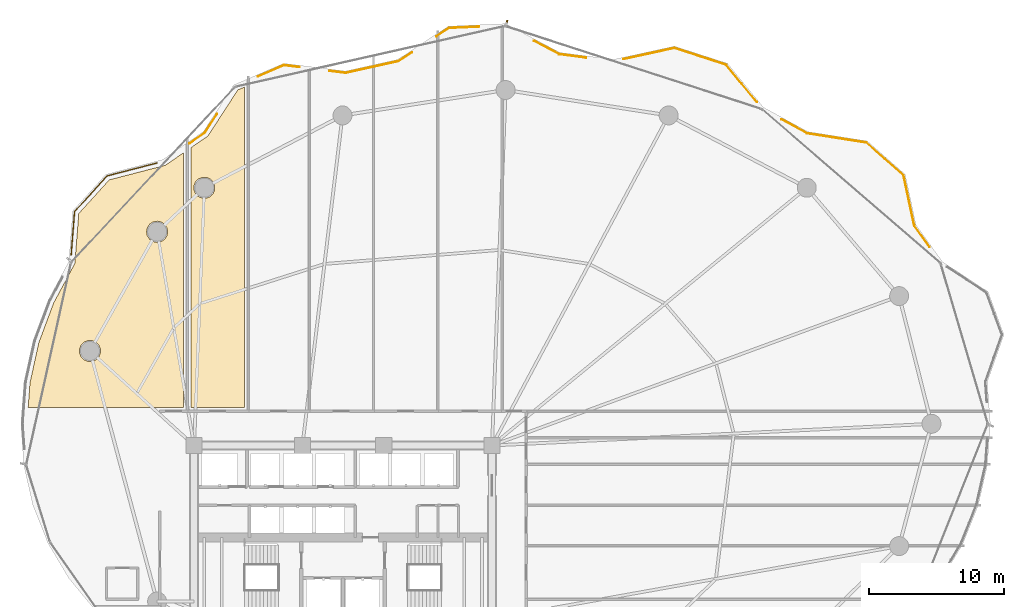
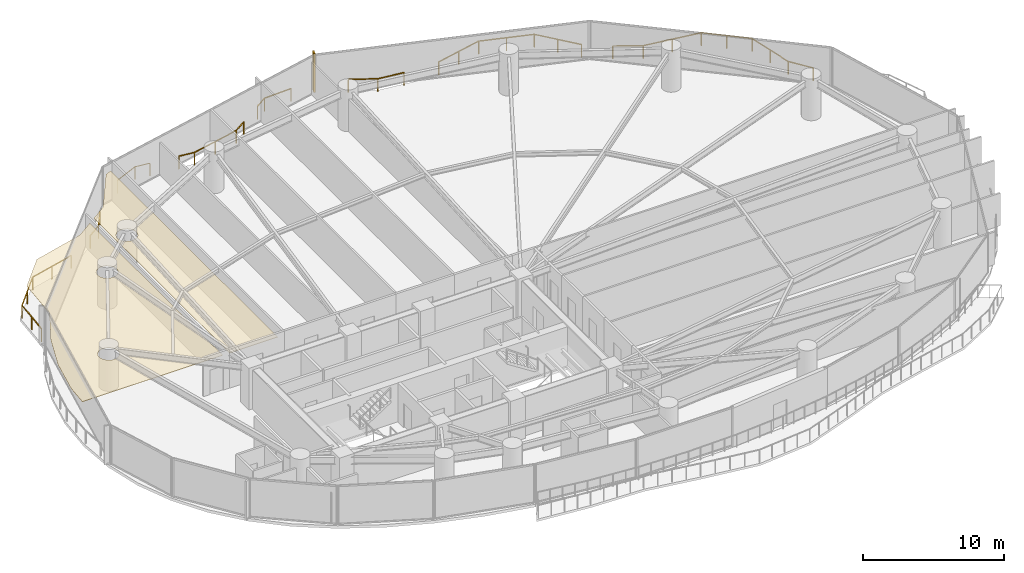
# One storey, part 32 of 33: 8 railings, 2 coverings, 1 shading device.
"""IFC4 building model written with IfcOpenShell, lengths in metres."""

from ifc_helpers import new_model, si_unit, direction, frame, origin, origin_2d, place, context, subcontext, project, spatial, polyline, rectangle, outline, extrude, material, layer, layer_set, type_object, element, save


model = new_model("IFC4")

# Units and contexts
model_context = context("Model", 3, precision=1e-05, world=origin(), true_north=direction((0.0, 1.0)))
body_context = subcontext(model_context, "Body", "Model", "MODEL_VIEW")
ifc_project = project(units=[si_unit("LENGTHUNIT", "METRE"), si_unit("AREAUNIT", "SQUARE_METRE"), si_unit("VOLUMEUNIT", "CUBIC_METRE"), si_unit("PLANEANGLEUNIT", "RADIAN"), si_unit("MASSUNIT", "GRAM", prefix="KILO")], contexts=[model_context])

# Site, building, storey
site_placement = place(None, origin())
site = spatial("IfcSite", under=ifc_project, at=site_placement, CompositionType="ELEMENT")
building_placement = place(site_placement, origin())
building = spatial("IfcBuilding", under=site, at=building_placement, Name="Kazevale Care Tower and Concert Hall", CompositionType="ELEMENT")
storey_placement = place(building_placement, frame((0.0, 0.0, 49.199951171875)))
storey = spatial("IfcBuildingStorey", under=building, at=storey_placement, Name="L12", CompositionType="ELEMENT", Elevation=49.199951171875)

# Coverings
ifc_material_1 = material(Name="Acoustic Plaster and Hinoki Wood", Category="wood")
ifc_layer = layer(ifc_material_1, 0.0400390625)
ifc_layer_set = layer_set([ifc_layer], Name="Acoustic Plaster and Hinoki Wood")
covering_type = type_object("IfcCoveringType", Name="Acoustic Perforated Wood-Gypsum Ceiling", PredefinedType="CEILING", material=ifc_layer_set)
covering_1_placement = place(storey_placement, frame((0.0, 0.0, 2.7099609375)))
element("IfcCovering", 1, at=covering_1_placement, inside=storey, type_object=covering_type, Name="clg:L12:1", PredefinedType="CEILING", context=body_context, shape_type="SweptSolid", body=[
    extrude(outline(polyline([(13.196044921875, 49.843017578125), (13.48291015625, 53.529052734375), (15.735107421875, 56.012939453125), (19.8798828125, 57.091064453125), (21.219970703125, 58.014892578125), (21.219970703125, 39.205078125), (9.7490234375, 39.205078125), (9.881103515625, 41.02392578125), (10.5400390625, 44.010986328125), (11.62890625, 46.925048828125), (13.196044921875, 49.843017578125)]), holes=[polyline([(19.990966796875, 52.47802734375), (19.822021484375, 52.73193359375), (19.568115234375, 52.90087890625), (19.27001953125, 52.9599609375), (18.971923828125, 52.90087890625), (18.718017578125, 52.73193359375), (18.549072265625, 52.47802734375), (18.489990234375, 52.179931640625), (18.549072265625, 51.882080078125), (18.718017578125, 51.6279296875), (18.971923828125, 51.458984375), (19.27001953125, 51.39990234375), (19.568115234375, 51.458984375), (19.822021484375, 51.6279296875), (19.990966796875, 51.882080078125), (20.050048828125, 52.179931640625), (19.990966796875, 52.47802734375)]), polyline([(15.074951171875, 43.531982421875), (14.958984375, 43.81298828125), (14.742919921875, 44.029052734375), (14.4619140625, 44.14501953125), (14.157958984375, 44.14501953125), (13.876953125, 44.029052734375), (13.660888671875, 43.81298828125), (13.544921875, 43.531982421875), (13.544921875, 43.22802734375), (13.660888671875, 42.947021484375), (13.876953125, 42.73095703125), (14.157958984375, 42.614990234375), (14.4619140625, 42.614990234375), (14.742919921875, 42.73095703125), (14.958984375, 42.947021484375), (15.074951171875, 43.22802734375), (15.074951171875, 43.531982421875)])]), origin(), (0.0, 0.0, 1.0), 0.0400390625),
])
covering_2_placement = place(storey_placement, frame((0.0, 0.0, 2.7099609375)))
element("IfcCovering", 2, at=covering_2_placement, inside=storey, type_object=covering_type, Name="clg:L12:2", PredefinedType="CEILING", context=body_context, shape_type="SweptSolid", body=[
    extrude(outline(polyline([(21.780029296875, 39.205078125), (21.780029296875, 58.39990234375), (23.014892578125, 59.2509765625), (25.22607421875, 62.654052734375), (25.719970703125, 62.866943359375), (25.719970703125, 39.205078125), (21.780029296875, 39.205078125)]), holes=[polyline([(23.52490234375, 55.58203125), (23.408935546875, 55.863037109375), (23.193115234375, 56.0791015625), (22.912109375, 56.195068359375), (22.60791015625, 56.195068359375), (22.326904296875, 56.0791015625), (22.111083984375, 55.863037109375), (21.9951171875, 55.58203125), (21.9951171875, 55.278076171875), (22.111083984375, 54.9970703125), (22.326904296875, 54.781005859375), (22.60791015625, 54.6650390625), (22.912109375, 54.6650390625), (23.193115234375, 54.781005859375), (23.408935546875, 54.9970703125), (23.52490234375, 55.278076171875), (23.52490234375, 55.58203125)])]), origin(), (0.0, 0.0, 1.0), 0.0400390625),
])

# Railings
ifc_material_2 = material(Name="Anodised Bronze Aluminium and Laminated Glass", Category="aluminium")
railing_type = type_object("IfcRailingType", Name="Balcony and Terrace Balustrade 1120", PredefinedType="BALUSTRADE", material=ifc_material_2)
railing_1_placement = place(storey_placement, frame((12.925048828125, 50.48291015625, 0.0)))
element("IfcRailing", 3, at=railing_1_placement, inside=storey, type_object=railing_type, Name="rail:L12:perim:2", PredefinedType="BALUSTRADE", context=body_context, shape_type="SweptSolid", body=[
    extrude(rectangle(XDim=0.048095703125, YDim=0.048095703125, at=origin_2d()), frame((0.0, 0.0, 1.09619140625), z_axis=(0.077457363228, 0.996995665428, 0.0), x_axis=(-0.996995665428, 0.077457363228, 0.0)), (0.0, 0.0, 1.0), 3.189697265625),
    extrude(rectangle(XDim=0.048095703125, YDim=0.048095703125, at=origin_2d()), frame((0.2470703125, 3.18017578125, 1.09619140625), z_axis=(0.67167834736, 0.740842896766, 0.0), x_axis=(-0.740842896766, 0.67167834736, 0.0)), (0.0, 0.0, 1.0), 3.55810546875),
    extrude(rectangle(XDim=0.048095703125, YDim=0.048095703125, at=origin_2d()), frame((2.636962890625, 5.816162109375, 1.09619140625), z_axis=(0.967833691326, 0.251590830384, 0.0), x_axis=(-0.251590830384, 0.967833691326, 0.0)), (0.0, 0.0, 1.0), 3.8271484375),
    extrude(rectangle(XDim=0.0419921875, YDim=0.0419921875, at=origin_2d()), origin(), (0.0, 0.0, 1.0), 1.072021484375),
    extrude(rectangle(XDim=0.0419921875, YDim=0.0419921875, at=origin_2d()), frame((0.12353515625, 1.590087890625, 0.0)), (0.0, 0.0, 1.0), 1.072021484375),
    extrude(rectangle(XDim=0.0419921875, YDim=0.0419921875, at=origin_2d()), frame((0.2470703125, 3.18017578125, 0.0)), (0.0, 0.0, 1.0), 1.072021484375),
    extrude(rectangle(XDim=0.0419921875, YDim=0.0419921875, at=origin_2d()), frame((1.44189453125, 4.498046875, 0.0)), (0.0, 0.0, 1.0), 1.072021484375),
    extrude(rectangle(XDim=0.0419921875, YDim=0.0419921875, at=origin_2d()), frame((2.636962890625, 5.816162109375, 0.0)), (0.0, 0.0, 1.0), 1.072021484375),
    extrude(rectangle(XDim=0.0419921875, YDim=0.0419921875, at=origin_2d()), frame((4.489013671875, 6.297607421875, 0.0)), (0.0, 0.0, 1.0), 1.072021484375),
    extrude(rectangle(XDim=0.0419921875, YDim=0.0419921875, at=origin_2d()), frame((6.341064453125, 6.779052734375, 0.0)), (0.0, 0.0, 1.0), 1.072021484375),
])
railing_2_placement = place(storey_placement, frame((21.65087890625, 58.699951171875, 0.0)))
element("IfcRailing", 4, at=railing_2_placement, inside=storey, type_object=railing_type, Name="rail:L12:perim:3", PredefinedType="BALUSTRADE", context=body_context, shape_type="SweptSolid", body=[
    extrude(rectangle(XDim=0.048095703125, YDim=0.048095703125, at=origin_2d()), frame((0.0, 0.0, 1.09619140625), z_axis=(0.823330292932, 0.56756253289, 0.0), x_axis=(-0.56756253289, 0.823330292932, 0.0)), (0.0, 0.0, 1.0), 1.37255859375),
    extrude(rectangle(XDim=0.048095703125, YDim=0.048095703125, at=origin_2d()), frame((1.130126953125, 0.779052734375, 1.09619140625), z_axis=(0.545340812874, 0.838214410407, 0.0), x_axis=(-0.838214410407, 0.545340812874, 0.0)), (0.0, 0.0, 1.0), 1.6796875),
    extrude(rectangle(XDim=0.0419921875, YDim=0.0419921875, at=origin_2d()), origin(), (0.0, 0.0, 1.0), 1.072021484375),
    extrude(rectangle(XDim=0.0419921875, YDim=0.0419921875, at=origin_2d()), frame((1.130126953125, 0.779052734375, 0.0)), (0.0, 0.0, 1.0), 1.072021484375),
    extrude(rectangle(XDim=0.0419921875, YDim=0.0419921875, at=origin_2d()), frame((2.046142578125, 2.18701171875, 0.0)), (0.0, 0.0, 1.0), 1.072021484375),
])
railing_3_placement = place(storey_placement, frame((26.70703125, 63.64306640625, 0.0)))
element("IfcRailing", 5, at=railing_3_placement, inside=storey, type_object=railing_type, Name="rail:L12:perim:4", PredefinedType="BALUSTRADE", context=body_context, shape_type="SweptSolid", body=[
    extrude(rectangle(XDim=0.048095703125, YDim=0.048095703125, at=origin_2d()), frame((0.0, 0.0, 1.09619140625), z_axis=(0.917761192616, 0.397132715007, 0.0), x_axis=(-0.397132715007, 0.917761192616, 0.0)), (0.0, 0.0, 1.0), 2.107421875),
    extrude(rectangle(XDim=0.048095703125, YDim=0.048095703125, at=origin_2d()), frame((1.93408203125, 0.8369140625, 1.09619140625), z_axis=(0.992136908777, -0.125157317977, 0.0), x_axis=(0.125157317977, 0.992136908777, 0.0)), (0.0, 0.0, 1.0), 1.15087890625),
    extrude(rectangle(XDim=0.0419921875, YDim=0.0419921875, at=origin_2d()), origin(), (0.0, 0.0, 1.0), 1.072021484375),
    extrude(rectangle(XDim=0.0419921875, YDim=0.0419921875, at=origin_2d()), frame((1.93408203125, 0.8369140625, 0.0)), (0.0, 0.0, 1.0), 1.072021484375),
    extrude(rectangle(XDim=0.0419921875, YDim=0.0419921875, at=origin_2d()), frame((3.075927734375, 0.69287109375, 0.0)), (0.0, 0.0, 1.0), 1.072021484375),
])
railing_4_placement = place(storey_placement, frame((32.001953125, 64.05810546875, 0.0)))
element("IfcRailing", 6, at=railing_4_placement, inside=storey, type_object=railing_type, Name="rail:L12:perim:5", PredefinedType="BALUSTRADE", context=body_context, shape_type="SweptSolid", body=[
    extrude(rectangle(XDim=0.048095703125, YDim=0.048095703125, at=origin_2d()), frame((0.0, 0.0, 1.09619140625), z_axis=(0.992119329578, -0.125296591644, 0.0), x_axis=(0.125296591644, 0.992119329578, 0.0)), (0.0, 0.0, 1.0), 1.1904296875),
    extrude(rectangle(XDim=0.048095703125, YDim=0.048095703125, at=origin_2d()), frame((1.18115234375, -0.149169921875, 1.09619140625), z_axis=(0.976178445537, 0.216969220097, 0.0), x_axis=(-0.216969220097, 0.976178445537, 0.0)), (0.0, 0.0, 1.0), 4.001220703125),
    extrude(rectangle(XDim=0.048095703125, YDim=0.048095703125, at=origin_2d()), frame((5.087158203125, 0.718994140625, 1.09619140625), z_axis=(0.835832367502, 0.548984747908, 0.0), x_axis=(-0.548984747908, 0.835832367502, 0.0)), (0.0, 0.0, 1.0), 1.185546875),
    extrude(rectangle(XDim=0.0419921875, YDim=0.0419921875, at=origin_2d()), origin(), (0.0, 0.0, 1.0), 1.072021484375),
    extrude(rectangle(XDim=0.0419921875, YDim=0.0419921875, at=origin_2d()), frame((1.18115234375, -0.149169921875, 0.0)), (0.0, 0.0, 1.0), 1.072021484375),
    extrude(rectangle(XDim=0.0419921875, YDim=0.0419921875, at=origin_2d()), frame((3.13427734375, 0.284912109375, 0.0)), (0.0, 0.0, 1.0), 1.072021484375),
    extrude(rectangle(XDim=0.0419921875, YDim=0.0419921875, at=origin_2d()), frame((5.087158203125, 0.718994140625, 0.0)), (0.0, 0.0, 1.0), 1.072021484375),
    extrude(rectangle(XDim=0.0419921875, YDim=0.0419921875, at=origin_2d()), frame((6.078125, 1.369873046875, 0.0)), (0.0, 0.0, 1.0), 1.072021484375),
])
railing_5_placement = place(storey_placement, frame((39.885986328125, 66.614013671875, 0.0)))
element("IfcRailing", 7, at=railing_5_placement, inside=storey, type_object=railing_type, Name="rail:L12:perim:6", PredefinedType="BALUSTRADE", context=body_context, shape_type="SweptSolid", body=[
    extrude(rectangle(XDim=0.048095703125, YDim=0.048095703125, at=origin_2d()), frame((0.0, 0.0, 1.09619140625), z_axis=(0.835903517622, 0.548876406149, 0.0), x_axis=(-0.548876406149, 0.835903517622, 0.0)), (0.0, 0.0, 1.0), 1.115234375),
    extrude(rectangle(XDim=0.048095703125, YDim=0.048095703125, at=origin_2d()), frame((0.93212890625, 0.612060546875, 1.09619140625), z_axis=(0.999043859493, 0.043719181241, 0.0), x_axis=(-0.043719181241, 0.999043859493, 0.0)), (0.0, 0.0, 1.0), 2.217041015625),
    extrude(rectangle(XDim=0.0419921875, YDim=0.0419921875, at=origin_2d()), origin(), (0.0, 0.0, 1.0), 1.072021484375),
    extrude(rectangle(XDim=0.0419921875, YDim=0.0419921875, at=origin_2d()), frame((0.93212890625, 0.612060546875, 0.0)), (0.0, 0.0, 1.0), 1.072021484375),
    extrude(rectangle(XDim=0.0419921875, YDim=0.0419921875, at=origin_2d()), frame((3.14697265625, 0.708984375, 0.0)), (0.0, 0.0, 1.0), 1.072021484375),
])
railing_6_placement = place(storey_placement, frame((47.115966796875, 66.27001953125, 0.0)))
element("IfcRailing", 8, at=railing_6_placement, inside=storey, type_object=railing_type, Name="rail:L12:perim:7", PredefinedType="BALUSTRADE", context=body_context, shape_type="SweptSolid", body=[
    extrude(rectangle(XDim=0.048095703125, YDim=0.048095703125, at=origin_2d()), frame((0.0, 0.0, 1.09619140625), z_axis=(0.883776562896, -0.467909165198, 0.0), x_axis=(0.467909165198, 0.883776562896, 0.0)), (0.0, 0.0, 1.0), 2.09228515625),
    extrude(rectangle(XDim=0.048095703125, YDim=0.048095703125, at=origin_2d()), frame((1.84912109375, -0.97900390625, 1.09619140625), z_axis=(0.991534086176, -0.129846663223, 0.0), x_axis=(0.129846663223, 0.991534086176, 0.0)), (0.0, 0.0, 1.0), 1.994873046875),
    extrude(rectangle(XDim=0.0419921875, YDim=0.0419921875, at=origin_2d()), origin(), (0.0, 0.0, 1.0), 1.072021484375),
    extrude(rectangle(XDim=0.0419921875, YDim=0.0419921875, at=origin_2d()), frame((1.84912109375, -0.97900390625, 0.0)), (0.0, 0.0, 1.0), 1.072021484375),
    extrude(rectangle(XDim=0.0419921875, YDim=0.0419921875, at=origin_2d()), frame((3.8271484375, -1.238037109375, 0.0)), (0.0, 0.0, 1.0), 1.072021484375),
])
railing_7_placement = place(storey_placement, frame((53.72509765625, 64.929931640625, 0.0)))
element("IfcRailing", 9, at=railing_7_placement, inside=storey, type_object=railing_type, Name="rail:L12:perim:8", PredefinedType="BALUSTRADE", context=body_context, shape_type="SweptSolid", body=[
    extrude(rectangle(XDim=0.048095703125, YDim=0.048095703125, at=origin_2d()), frame((0.0, 0.0, 1.09619140625), z_axis=(0.976904182087, 0.213677839331, 0.0), x_axis=(-0.213677839331, 0.976904182087, 0.0)), (0.0, 0.0, 1.0), 3.82421875),
    extrude(rectangle(XDim=0.048095703125, YDim=0.048095703125, at=origin_2d()), frame((3.73583984375, 0.817138671875, 1.09619140625), z_axis=(0.951224739484, -0.308498776326, 0.0), x_axis=(0.308498776326, 0.951224739484, 0.0)), (0.0, 0.0, 1.0), 4.032958984375),
    extrude(rectangle(XDim=0.048095703125, YDim=0.048095703125, at=origin_2d()), frame((7.572021484375, -0.427001953125, 1.09619140625), z_axis=(0.63401399695, -0.773321570675, 0.0), x_axis=(0.773321570675, 0.63401399695, 0.0)), (0.0, 0.0, 1.0), 3.56103515625),
    extrude(rectangle(XDim=0.0419921875, YDim=0.0419921875, at=origin_2d()), origin(), (0.0, 0.0, 1.0), 1.072021484375),
    extrude(rectangle(XDim=0.0419921875, YDim=0.0419921875, at=origin_2d()), frame((1.867919921875, 0.40869140625, 0.0)), (0.0, 0.0, 1.0), 1.072021484375),
    extrude(rectangle(XDim=0.0419921875, YDim=0.0419921875, at=origin_2d()), frame((3.73583984375, 0.817138671875, 0.0)), (0.0, 0.0, 1.0), 1.072021484375),
    extrude(rectangle(XDim=0.0419921875, YDim=0.0419921875, at=origin_2d()), frame((5.65380859375, 0.195068359375, 0.0)), (0.0, 0.0, 1.0), 1.072021484375),
    extrude(rectangle(XDim=0.0419921875, YDim=0.0419921875, at=origin_2d()), frame((7.572021484375, -0.427001953125, 0.0)), (0.0, 0.0, 1.0), 1.072021484375),
    extrude(rectangle(XDim=0.0419921875, YDim=0.0419921875, at=origin_2d()), frame((8.700927734375, -1.803955078125, 0.0)), (0.0, 0.0, 1.0), 1.072021484375),
    extrude(rectangle(XDim=0.0419921875, YDim=0.0419921875, at=origin_2d()), frame((9.829833984375, -3.180908203125, 0.0)), (0.0, 0.0, 1.0), 1.072021484375),
])
railing_8_placement = place(storey_placement, frame((65.375, 60.48291015625, 0.0)))
element("IfcRailing", 10, at=railing_8_placement, inside=storey, type_object=railing_type, Name="rail:L12:perim:9", PredefinedType="BALUSTRADE", context=body_context, shape_type="SweptSolid", body=[
    extrude(rectangle(XDim=0.048095703125, YDim=0.048095703125, at=origin_2d()), frame((0.0, 0.0, 1.09619140625), z_axis=(0.877408218259, -0.479744534656, 0.0), x_axis=(0.479744534656, 0.877408218259, 0.0)), (0.0, 0.0, 1.0), 2.165283203125),
    extrude(rectangle(XDim=0.048095703125, YDim=0.048095703125, at=origin_2d()), frame((1.89990234375, -1.038818359375, 1.09619140625), z_axis=(0.98800015678, -0.154452873728, 0.0), x_axis=(0.154452873728, 0.98800015678, 0.0)), (0.0, 0.0, 1.0), 4.41015625),
    extrude(rectangle(XDim=0.048095703125, YDim=0.048095703125, at=origin_2d()), frame((6.257080078125, -1.719970703125, 1.09619140625), z_axis=(0.752130585126, -0.65901409918, 0.0), x_axis=(0.65901409918, 0.752130585126, 0.0)), (0.0, 0.0, 1.0), 3.662841796875),
    extrude(rectangle(XDim=0.048095703125, YDim=0.048095703125, at=origin_2d()), frame((9.011962890625, -4.1337890625, 1.09619140625), z_axis=(0.208802033864, -0.977957928877, 0.0), x_axis=(0.977957928877, 0.208802033864, 0.0)), (0.0, 0.0, 1.0), 3.80712890625),
    extrude(rectangle(XDim=0.048095703125, YDim=0.048095703125, at=origin_2d()), frame((9.806884765625, -7.85693359375, 1.09619140625), z_axis=(0.582711263324, -0.812679262437, 0.0), x_axis=(0.812679262437, 0.582711263324, 0.0)), (0.0, 0.0, 1.0), 1.94287109375),
    extrude(rectangle(XDim=0.0419921875, YDim=0.0419921875, at=origin_2d()), origin(), (0.0, 0.0, 1.0), 1.072021484375),
    extrude(rectangle(XDim=0.0419921875, YDim=0.0419921875, at=origin_2d()), frame((1.89990234375, -1.038818359375, 0.0)), (0.0, 0.0, 1.0), 1.072021484375),
    extrude(rectangle(XDim=0.0419921875, YDim=0.0419921875, at=origin_2d()), frame((4.07861328125, -1.37939453125, 0.0)), (0.0, 0.0, 1.0), 1.072021484375),
    extrude(rectangle(XDim=0.0419921875, YDim=0.0419921875, at=origin_2d()), frame((6.257080078125, -1.719970703125, 0.0)), (0.0, 0.0, 1.0), 1.072021484375),
    extrude(rectangle(XDim=0.0419921875, YDim=0.0419921875, at=origin_2d()), frame((7.634521484375, -2.9267578125, 0.0)), (0.0, 0.0, 1.0), 1.072021484375),
    extrude(rectangle(XDim=0.0419921875, YDim=0.0419921875, at=origin_2d()), frame((9.011962890625, -4.1337890625, 0.0)), (0.0, 0.0, 1.0), 1.072021484375),
    extrude(rectangle(XDim=0.0419921875, YDim=0.0419921875, at=origin_2d()), frame((9.409423828125, -5.995361328125, 0.0)), (0.0, 0.0, 1.0), 1.072021484375),
    extrude(rectangle(XDim=0.0419921875, YDim=0.0419921875, at=origin_2d()), frame((9.806884765625, -7.85693359375, 0.0)), (0.0, 0.0, 1.0), 1.072021484375),
    extrude(rectangle(XDim=0.0419921875, YDim=0.0419921875, at=origin_2d()), frame((10.93896484375, -9.435791015625, 0.0)), (0.0, 0.0, 1.0), 1.072021484375),
])

# Shading device
ifc_material_3 = material(Name="Honed Ochre Limestone", Category="masonry")
shading_device_type = type_object("IfcShadingDeviceType", Name="Vertical Honed Limestone Fin FIN-01", PredefinedType="USERDEFINED", material=ifc_material_3)
shading_device_placement = place(storey_placement, frame((45.08203125, 67.618408203125, 0.0), z_axis=(0.0, 0.0, 1.0), x_axis=(0.30785482931, 0.951433341896, 0.0)))
element("IfcShadingDevice", 11, at=shading_device_placement, inside=storey, type_object=shading_device_type, Name="cw:L12:f16:fin", ObjectType="FIN", PredefinedType="USERDEFINED", context=body_context, shape_type="SweptSolid", body=[
    extrude(rectangle(XDim=0.3798828125, YDim=0.1201171875, at=origin_2d()), origin(), (0.0, 0.0, 1.0), 3.360107421875),
])

save(model, "model.ifc")
